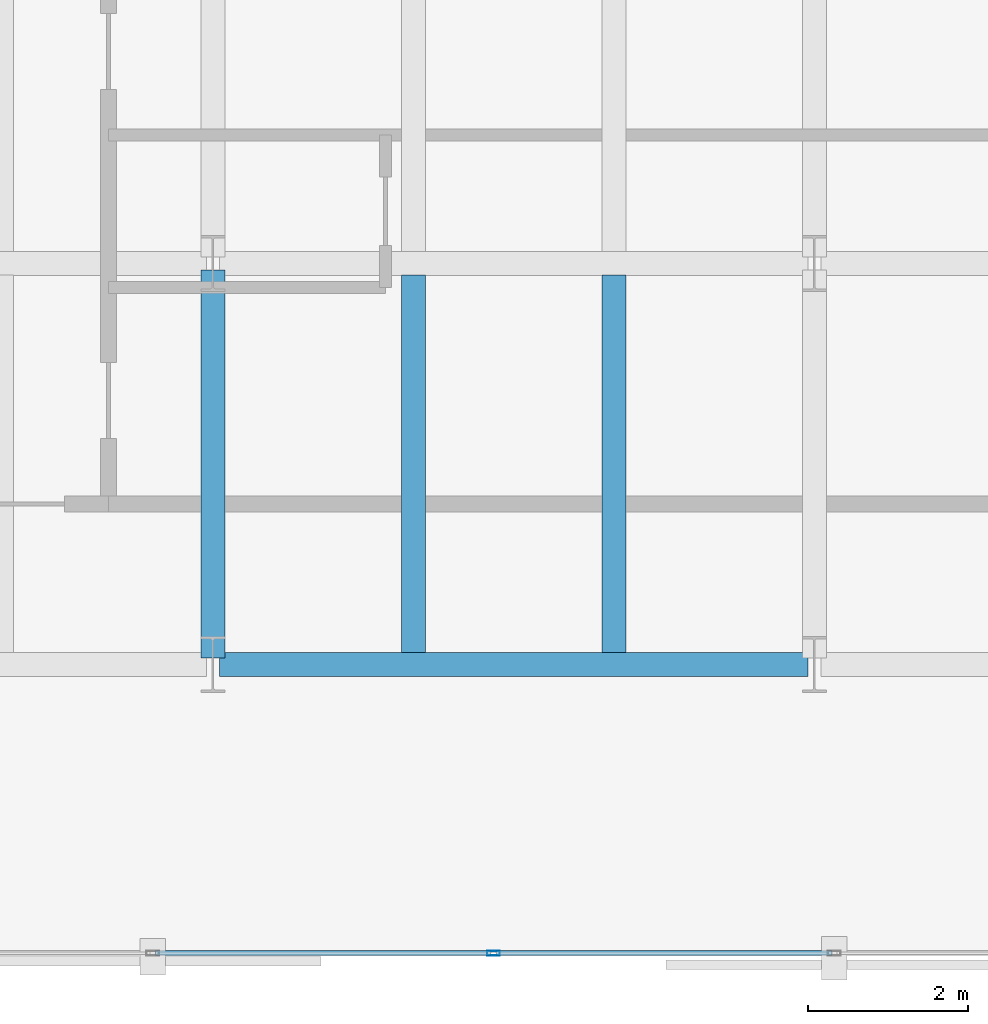
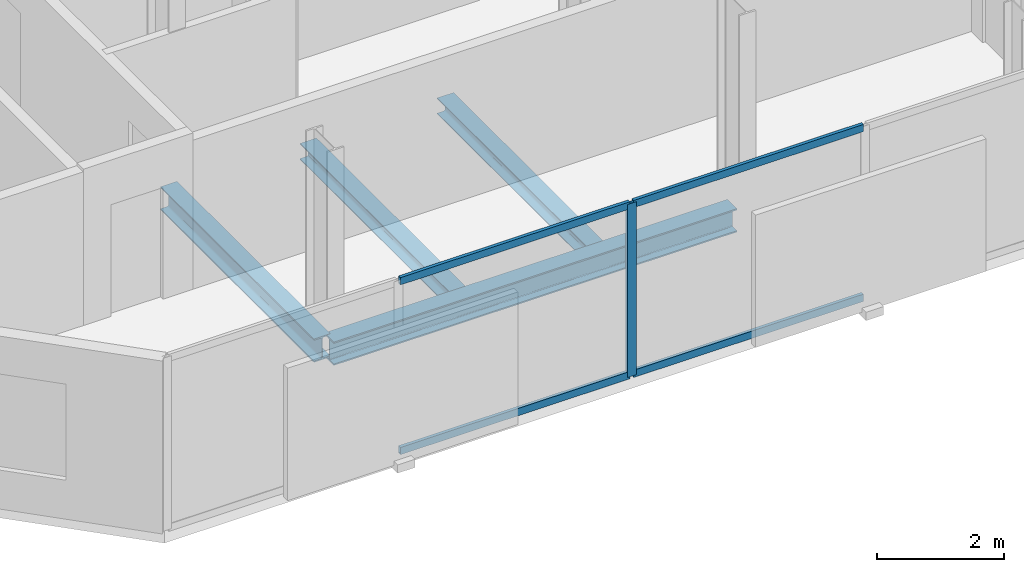
# One storey, part 4 of 32: 5 members, 4 beams, 1 element without a shape of its own.
"""IFC4 building model written with IfcOpenShell, lengths in metres."""

import ifcopenshell
import ifcopenshell.guid

model = None  # the IFC model being written
_history = None  # IfcOwnerHistory: only IFC2X3 demands one
_inside = {}  # id of a spatial element -> (the spatial element, [elements in it])
_under = {}  # id of a project, library or spatial element -> (it, [spatial elements below it])
_declared = {}  # id of a project -> (the project, [libraries it declares])
_typed = {}  # id of a type object -> (the type object, [elements of that type])
_made_of = {}  # id of a material, layer set ... -> (it, [elements and type objects made of it])


def new_model(schema):
    """Start an empty IFC model of exactly this schema.

    Asked for "IFC4X3", IfcOpenShell would pick the latest addendum, in which some entities
    have other attributes; the version numbers below select the first issue.
    IFC2X3 requires an IfcOwnerHistory on every rooted entity: one is made here for all.
    """
    global model, _history
    if schema == "IFC4X3":
        model = ifcopenshell.file(schema_version=(4, 3, 0, 0))
    else:
        model = ifcopenshell.file(schema=schema)
    _inside.clear()
    _under.clear()
    _declared.clear()
    _typed.clear()
    _made_of.clear()
    _history = None
    if model.schema == "IFC2X3":
        org = make("IfcOrganization", Name="unknown")
        user = make(
            "IfcPersonAndOrganization",
            ThePerson=make("IfcPerson", FamilyName="unknown"),
            TheOrganization=org,
        )
        app = make(
            "IfcApplication",
            ApplicationDeveloper=org,
            Version="unknown",
            ApplicationFullName="unknown",
            ApplicationIdentifier="unknown",
        )
        _history = make(
            "IfcOwnerHistory",
            OwningUser=user,
            OwningApplication=app,
            ChangeAction="ADDED",
            CreationDate=0,
        )
    return model


def make(cls, **values):
    """One entity of the class cls with the attributes given. An attribute that is None is left unset."""
    return model.create_entity(
        cls, **{name: value for name, value in values.items() if value is not None}
    )


def rooted(cls, **values):
    """An entity with a GlobalId (a new one), such as an element, a storey or a relation."""
    return make(cls, GlobalId=ifcopenshell.guid.new(), OwnerHistory=_history, **values)


def si_unit(unit_type, name, prefix=None):
    """IfcSIUnit, for example si_unit("LENGTHUNIT", "METRE", prefix="MILLI")."""
    return make("IfcSIUnit", UnitType=unit_type, Prefix=prefix, Name=name)


def assignment(units):
    """IfcUnitAssignment: the units of a project."""
    return None if units is None else make("IfcUnitAssignment", Units=units)


def point(xyz):
    """IfcCartesianPoint."""
    return None if xyz is None else make("IfcCartesianPoint", Coordinates=xyz)


def direction(xyz):
    """IfcDirection."""
    return None if xyz is None else make("IfcDirection", DirectionRatios=xyz)


def frame(location, z_axis=None, x_axis=None):
    """IfcAxis2Placement3D, a coordinate frame: its origin and axes. An axis left out is left unset."""
    return make(
        "IfcAxis2Placement3D",
        Location=point(location),
        Axis=direction(z_axis),
        RefDirection=direction(x_axis),
    )


def frame_2d(location, x_axis=None):
    """IfcAxis2Placement2D, a coordinate frame in the plane: its origin and x axis."""
    return make(
        "IfcAxis2Placement2D", Location=point(location), RefDirection=direction(x_axis)
    )


def origin():
    """The frame at (0, 0, 0) with its axes left unset."""
    return frame((0.0, 0.0, 0.0))


def origin_2d():
    """The frame at (0, 0) in the plane with its x axis left unset."""
    return frame_2d((0.0, 0.0))


def place(relative_to, where):
    """IfcLocalPlacement: puts the frame where relative to a parent placement (None: the world)."""
    return make(
        "IfcLocalPlacement", PlacementRelTo=relative_to, RelativePlacement=where
    )


def context(
    kind, dimensions, precision=None, world=None, true_north=None, identifier=None
):
    """IfcGeometricRepresentationContext, for example the 3D "Model" context."""
    return make(
        "IfcGeometricRepresentationContext",
        ContextIdentifier=identifier,
        ContextType=kind,
        CoordinateSpaceDimension=dimensions,
        Precision=precision,
        WorldCoordinateSystem=world,
        TrueNorth=true_north,
    )


def subcontext(parent, identifier, kind, view, scale=None):
    """IfcGeometricRepresentationSubContext, for example "Body" below "Model"."""
    return make(
        "IfcGeometricRepresentationSubContext",
        ContextIdentifier=identifier,
        ContextType=kind,
        ParentContext=parent,
        TargetScale=scale,
        TargetView=view,
    )


def project(units=None, contexts=None):
    """IfcProject with its units and contexts."""
    return rooted(
        "IfcProject",
        Name="project",
        RepresentationContexts=contexts,
        UnitsInContext=assignment(units),
    )


def spatial(cls, under=None, at=None, **own):
    """A site, building, storey or space (cls), placed at a placement, below another one or the project."""
    s = rooted(cls, ObjectPlacement=at, **own)
    if under is not None:
        _under.setdefault(under.id(), (under, []))[1].append(s)
    return s


def profile(cls, at=None, kind="AREA", **sizes):
    """A parametric profile (cls). Its sizes go by their IFC names, for example OverallWidth=200.0."""
    return make(cls, ProfileType=kind, Position=at, **sizes)


def hollow_rectangle(**sizes):
    """IfcRectangleHollowProfileDef."""
    return profile("IfcRectangleHollowProfileDef", **sizes)


def i_section(**sizes):
    """IfcIShapeProfileDef."""
    return profile("IfcIShapeProfileDef", **sizes)


def extrude(swept, where, along, depth):
    """IfcExtrudedAreaSolid: the profile swept, set in the frame where, extruded along a direction by depth."""
    return make(
        "IfcExtrudedAreaSolid",
        SweptArea=swept,
        Position=where,
        ExtrudedDirection=direction(along),
        Depth=depth,
    )


def shape(context_of_items, identifier, shape_type, items):
    """IfcShapeRepresentation: the items that make up one representation, for example the "Body"."""
    return make(
        "IfcShapeRepresentation",
        ContextOfItems=context_of_items,
        RepresentationIdentifier=identifier,
        RepresentationType=shape_type,
        Items=items,
    )


def material(Name=None, Category=None):
    """IfcMaterial."""
    return make("IfcMaterial", Name=Name, Category=Category)


def layer(
    of_material, thickness, ventilated=None, Name=None, Category=None, Priority=None
):
    """IfcMaterialLayer: one layer of a wall or slab, of a material (None: an air gap)."""
    return make(
        "IfcMaterialLayer",
        Material=of_material,
        LayerThickness=thickness,
        IsVentilated=ventilated,
        Name=Name,
        Category=Category,
        Priority=Priority,
    )


def layer_set(layers, Name=None):
    """IfcMaterialLayerSet."""
    return make("IfcMaterialLayerSet", MaterialLayers=layers, LayerSetName=Name)


def material_profile(
    of_material, cross_section, Name=None, Category=None, Priority=None
):
    """IfcMaterialProfile: a cross section and its material."""
    return make(
        "IfcMaterialProfile",
        Name=Name,
        Material=of_material,
        Profile=cross_section,
        Priority=Priority,
        Category=Category,
    )


def profile_set(profiles, Name=None, composite=None):
    """IfcMaterialProfileSet."""
    return make(
        "IfcMaterialProfileSet",
        Name=Name,
        MaterialProfiles=profiles,
        CompositeProfile=composite,
    )


def made_of(thing, what):
    """Note that an element or type object is made of a material, layer set ...; save() writes the relation."""
    if what is not None:
        _made_of.setdefault(what.id(), (what, []))[1].append(thing)
    return thing


def type_object(cls, material=None, **own):
    """A type object (cls), such as IfcWallType, which elements share."""
    return made_of(rooted(cls, **own), material)


def element(
    cls,
    number,
    at=None,
    inside=None,
    cuts=None,
    type_object=None,
    material=None,
    context=None,
    identifier="Body",
    shape_type=None,
    held_by="IfcProductDefinitionShape",
    body=None,
    shapes=None,
    **own,
):
    """One element of the class cls, such as IfcWall. Its Tag is "e" and its number.

    at: its placement. inside: the storey or other place that contains it. cuts: it is an
    opening in that element (IfcRelVoidsElement). A single representation is given by context,
    identifier, shape_type and body (its items); several are given by shapes. held_by: the class
    of the entity that holds the representations. save() writes the other relations.
    """
    e = rooted(cls, Tag="e%d" % number, ObjectPlacement=at, **own)
    if body is not None:
        shapes = [shape(context, identifier, shape_type, body)]
    if shapes is not None:
        e.Representation = make(held_by, Representations=shapes)
    if inside is not None:
        _inside.setdefault(inside.id(), (inside, []))[1].append(e)
    if cuts is not None:
        rooted(
            "IfcRelVoidsElement", RelatingBuildingElement=cuts, RelatedOpeningElement=e
        )
    if type_object is not None:
        _typed.setdefault(type_object.id(), (type_object, []))[1].append(e)
    return made_of(e, material)


def aggregate(whole, parts):
    """IfcRelAggregates: a whole, such as a stair, and the parts it consists of."""
    return rooted("IfcRelAggregates", RelatingObject=whole, RelatedObjects=parts)


def save(model, path):
    """Write the relations noted so far, then the file.

    IfcRelAggregates (storeys below a building ...), IfcRelContainedInSpatialStructure (elements
    in a storey), IfcRelDefinesByType, IfcRelAssociatesMaterial and IfcRelDeclares: one each for
    every whole, place, type object, material and project.
    """
    for whole, parts in _under.values():
        aggregate(whole, parts)
    for where, things in _inside.values():
        rooted(
            "IfcRelContainedInSpatialStructure",
            RelatedElements=things,
            RelatingStructure=where,
        )
    for kind, things in _typed.values():
        rooted("IfcRelDefinesByType", RelatedObjects=things, RelatingType=kind)
    for what, things in _made_of.values():
        rooted("IfcRelAssociatesMaterial", RelatedObjects=things, RelatingMaterial=what)
    for by, libraries in _declared.values():
        rooted("IfcRelDeclares", RelatingContext=by, RelatedDefinitions=libraries)
    model.write(path)


model = new_model("IFC4")

# Units and contexts
model_context = context("Model", 3, precision=1e-05, world=origin(), true_north=direction((0.0, 1.0)))
body_context = subcontext(model_context, "Body", "Model", "MODEL_VIEW")
ifc_project = project(units=[si_unit("LENGTHUNIT", "METRE"), si_unit("AREAUNIT", "SQUARE_METRE"), si_unit("VOLUMEUNIT", "CUBIC_METRE"), si_unit("PLANEANGLEUNIT", "RADIAN"), si_unit("MASSUNIT", "GRAM", prefix="KILO")], contexts=[model_context])

# Site, building, storey
site_placement = place(None, origin())
site = spatial("IfcSite", under=ifc_project, at=site_placement, CompositionType="ELEMENT")
building_placement = place(site_placement, origin())
building = spatial("IfcBuilding", under=site, at=building_placement, Name="Catumbela Crestline Tower", CompositionType="ELEMENT")
storey_placement = place(building_placement, frame((0.0, 0.0, 122.4)))
storey = spatial("IfcBuildingStorey", under=building, at=storey_placement, Name="L31", CompositionType="ELEMENT", Elevation=122.4)

# Beams
ifc_material_1 = material(Name="Structural steel S355J2", Category="steel")
ifc_material_profile_1 = material_profile(ifc_material_1, i_section(OverallWidth=0.3, OverallDepth=0.45, WebThickness=0.014, FlangeThickness=0.026, FilletRadius=0.027, at=origin_2d()), Name="HEB 450")
ifc_profile_set_1 = profile_set([ifc_material_profile_1], Name="Structural steel S355J2")
beam_type_1 = type_object("IfcBeamType", Name="BG-HEB450", PredefinedType="BEAM", material=ifc_profile_set_1)
beam_1_placement = place(storey_placement, frame((8.58, 8.6, -0.485), z_axis=(1.0, 0.0, 0.0), x_axis=(0.0, 1.0, 0.0)))
element("IfcBeam", 1, at=beam_1_placement, inside=storey, type_object=beam_type_1, Name="L31 Beam BM-L31-WEW44", PredefinedType="BEAM", context=body_context, shape_type="SweptSolid", body=[
    extrude(i_section(OverallWidth=0.3, OverallDepth=0.45, WebThickness=0.014, FlangeThickness=0.026, FilletRadius=0.027, at=origin_2d()), origin(), (0.0, 0.0, 1.0), 7.34),
])
beam_2_placement = place(storey_placement, frame((8.5, 8.68, -0.485), z_axis=(0.0, 1.0, 0.0), x_axis=(-1.0, 0.0, 0.0)))
element("IfcBeam", 2, at=beam_2_placement, inside=storey, type_object=beam_type_1, Name="L31 Beam BM-L31-WNS55", PredefinedType="BEAM", context=body_context, shape_type="SweptSolid", body=[
    extrude(i_section(OverallWidth=0.3, OverallDepth=0.45, WebThickness=0.014, FlangeThickness=0.026, FilletRadius=0.027, at=origin_2d()), origin(), (0.0, 0.0, 1.0), 4.84),
])
ifc_material_profile_2 = material_profile(ifc_material_1, i_section(OverallWidth=0.3, OverallDepth=0.31, WebThickness=0.009, FlangeThickness=0.0155, FilletRadius=0.027, at=origin_2d()), Name="HEA 320")
ifc_profile_set_2 = profile_set([ifc_material_profile_2], Name="Structural steel S355J2")
beam_type_2 = type_object("IfcBeamType", Name="BJ-HEA320", PredefinedType="JOIST", material=ifc_profile_set_2)
for number, where, z_axis, x_axis, name in (
    (3, (11.0, 8.747, -0.415), (0.0, 1.0, 0.0), (-1.0, 0.0, 0.0), "L31 Joist JS-L31-WG65"),
    (4, (13.5, 8.747, -0.415), (0.0, 1.0, 0.0), (-1.0, 0.0, 0.0), "L31 Joist JS-L31-WG66"),
):
    element("IfcBeam", number, at=place(storey_placement, frame(where, z_axis=z_axis, x_axis=x_axis)), inside=storey, type_object=beam_type_2, Name=name, PredefinedType="JOIST", context=body_context, shape_type="SweptSolid", body=[
        extrude(i_section(OverallWidth=0.3, OverallDepth=0.31, WebThickness=0.009, FlangeThickness=0.0155, FilletRadius=0.027, at=origin_2d()), origin(), (0.0, 0.0, 1.0), 4.706),
    ])

# Curtain wall, members
ifc_material_2 = material(Name="Aluminium alloy AW-6060-T66", Category="aluminium")
ifc_layer = layer(ifc_material_2, 0.18, Name="Aluminium alloy AW-6060-T66")
ifc_layer_set = layer_set([ifc_layer], Name="Aluminium alloy AW-6060-T66")
curtain_wall_type = type_object("IfcCurtainWallType", Name="CWU-Z2", PredefinedType="USERDEFINED", material=ifc_layer_set)
curtain_wall_placement = place(storey_placement, origin())
curtain_wall = element("IfcCurtainWall", 5, at=curtain_wall_placement, inside=storey, type_object=curtain_wall_type, Name="L31 Unitised Curtain Wall CW-L31-E0S1", ObjectType="UNITISED", PredefinedType="USERDEFINED")
ifc_material_profile_3 = material_profile(ifc_material_2, hollow_rectangle(XDim=0.06, YDim=0.16, WallThickness=0.004, at=origin_2d()), Name="ALU 160x60x4")
ifc_profile_set_3 = profile_set([ifc_material_profile_3], Name="Aluminium alloy AW-6060-T66")
member_type_1 = type_object("IfcMemberType", Name="MUL-160X60", PredefinedType="MULLION", material=ifc_profile_set_3)
member_1_placement = place(storey_placement, frame((12.0, 5.0, 0.0), z_axis=(0.0, 0.0, 1.0), x_axis=(0.0, 1.0, 0.0)))
member_1 = element("IfcMember", 6, at=member_1_placement, type_object=member_type_1, Name="CWU-Z2 mullion 3", PredefinedType="MULLION", context=body_context, shape_type="SweptSolid", body=[
    extrude(hollow_rectangle(XDim=0.06, YDim=0.16, WallThickness=0.004, at=origin_2d()), origin(), (0.0, 0.0, 1.0), 3.33),
])
ifc_material_profile_4 = material_profile(ifc_material_2, hollow_rectangle(XDim=0.06, YDim=0.14, WallThickness=0.004, at=origin_2d()), Name="ALU 140x60x4")
ifc_profile_set_4 = profile_set([ifc_material_profile_4], Name="Aluminium alloy AW-6060-T66")
member_type_2 = type_object("IfcMemberType", Name="TRN-140X60", PredefinedType="USERDEFINED", material=ifc_profile_set_4)
member_2_placement = place(storey_placement, frame((7.7825, 5.0, 0.03), z_axis=(1.0, 0.0, 0.0), x_axis=(0.0, 1.0, 0.0)))
member_2 = element("IfcMember", 7, at=member_2_placement, type_object=member_type_2, Name="CWU-Z2 transom 2.1", ObjectType="TRANSOM", PredefinedType="USERDEFINED", context=body_context, shape_type="SweptSolid", body=[
    extrude(hollow_rectangle(XDim=0.06, YDim=0.14, WallThickness=0.004, at=origin_2d()), origin(), (0.0, 0.0, 1.0), 4.185),
])
member_3_placement = place(storey_placement, frame((7.7825, 5.0, 3.3), z_axis=(1.0, 0.0, 0.0), x_axis=(0.0, 1.0, 0.0)))
member_3 = element("IfcMember", 8, at=member_3_placement, type_object=member_type_2, Name="CWU-Z2 transom 2.2", ObjectType="TRANSOM", PredefinedType="USERDEFINED", context=body_context, shape_type="SweptSolid", body=[
    extrude(hollow_rectangle(XDim=0.06, YDim=0.14, WallThickness=0.004, at=origin_2d()), origin(), (0.0, 0.0, 1.0), 4.185),
])
member_4_placement = place(storey_placement, frame((12.0325, 5.0, 0.03), z_axis=(1.0, 0.0, 0.0), x_axis=(0.0, 1.0, 0.0)))
member_4 = element("IfcMember", 9, at=member_4_placement, type_object=member_type_2, Name="CWU-Z2 transom 3.1", ObjectType="TRANSOM", PredefinedType="USERDEFINED", context=body_context, shape_type="SweptSolid", body=[
    extrude(hollow_rectangle(XDim=0.06, YDim=0.14, WallThickness=0.004, at=origin_2d()), origin(), (0.0, 0.0, 1.0), 4.185),
])
member_5_placement = place(storey_placement, frame((12.0325, 5.0, 3.3), z_axis=(1.0, 0.0, 0.0), x_axis=(0.0, 1.0, 0.0)))
member_5 = element("IfcMember", 10, at=member_5_placement, type_object=member_type_2, Name="CWU-Z2 transom 3.2", ObjectType="TRANSOM", PredefinedType="USERDEFINED", context=body_context, shape_type="SweptSolid", body=[
    extrude(hollow_rectangle(XDim=0.06, YDim=0.14, WallThickness=0.004, at=origin_2d()), origin(), (0.0, 0.0, 1.0), 4.185),
])
aggregate(curtain_wall, [member_1, member_2, member_3, member_4, member_5])

save(model, "model.ifc")
